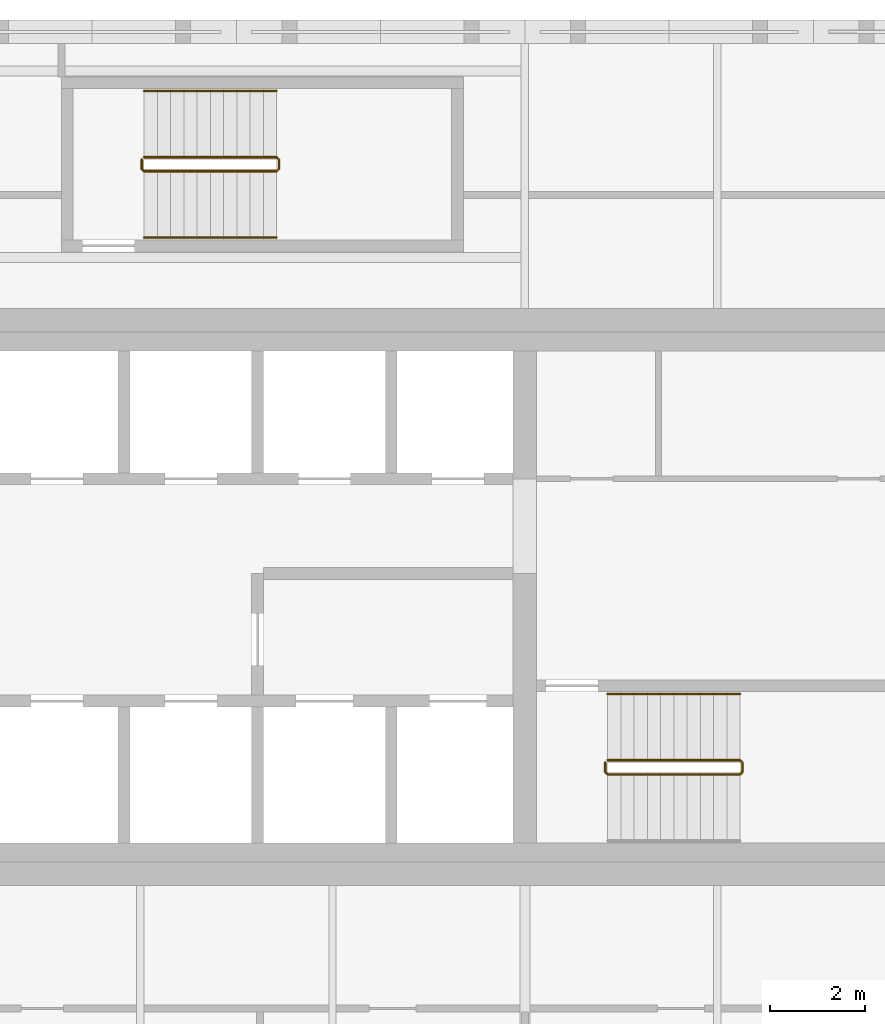
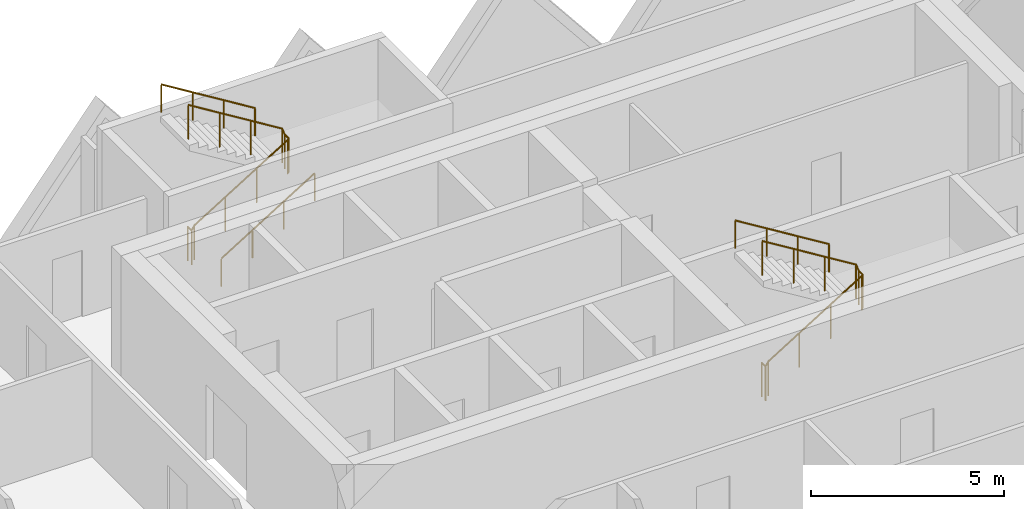
# One storey, part 18 of 18: 5 railings.
"""IFC4 building model written with IfcOpenShell, lengths in metres."""

from ifc_helpers import new_model, si_unit, direction, frame, origin, origin_2d, place, context, subcontext, project, spatial, circle, extrude, material, type_object, element, save


model = new_model("IFC4")

# Units and contexts
model_context = context("Model", 3, precision=1e-05, world=origin(), true_north=direction((0.0, 1.0)))
body_context = subcontext(model_context, "Body", "Model", "MODEL_VIEW")
ifc_project = project(units=[si_unit("LENGTHUNIT", "METRE"), si_unit("AREAUNIT", "SQUARE_METRE"), si_unit("VOLUMEUNIT", "CUBIC_METRE"), si_unit("PLANEANGLEUNIT", "RADIAN"), si_unit("MASSUNIT", "GRAM", prefix="KILO")], contexts=[model_context])

# Site, building, storey
site_placement = place(None, origin())
site = spatial("IfcSite", under=ifc_project, at=site_placement, CompositionType="ELEMENT")
building_placement = place(site_placement, origin())
building = spatial("IfcBuilding", under=site, at=building_placement, Name="Tessera Gate Towers", CompositionType="ELEMENT")
storey_placement = place(building_placement, frame((0.0, 0.0, 99.0)))
storey = spatial("IfcBuildingStorey", under=building, at=storey_placement, Name="L24", CompositionType="ELEMENT", Elevation=99.0)

# Railings
ifc_material_1 = material(Name="Steel 350W", Category="steel")
railing_type_1 = type_object("IfcRailingType", Name="STAIR GUARD 1100", PredefinedType="GUARDRAIL", material=ifc_material_1)
railing_1_placement = place(storey_placement, frame((111.5, 39.199951171875, 0.0)))
element("IfcRailing", 1, at=railing_1_placement, inside=storey, type_object=railing_type_1, Name="L24 ST6 stair guard 1", PredefinedType="GUARDRAIL", context=body_context, shape_type="SweptSolid", body=[
    extrude(circle(Radius=0.02392578125, at=origin_2d()), frame((0.0, 0.0, 1.076171875), z_axis=(0.0, -1.0, 0.0), x_axis=(1.0, 0.0, 0.0)), (0.0, 0.0, 1.0), 0.199951171875),
    extrude(circle(Radius=0.02392578125, at=origin_2d()), frame((0.0, -0.199951171875, 1.076171875), z_axis=(0.268277960024, -0.268277960024, 0.925231793839), x_axis=(0.707106781187, 0.707106781187, 0.0)), (0.0, 0.0, 1.0), 0.1865234375),
    extrude(circle(Radius=0.02392578125, at=origin_2d()), frame((0.050048828125, -0.25, 1.24853515625), z_axis=(0.851089632645, 0.0, 0.525020415988), x_axis=(0.0, 1.0, 0.0)), (0.0, 0.0, 1.0), 3.2900390625),
    extrude(circle(Radius=0.02392578125, at=origin_2d()), frame((2.85009765625, -0.25, 2.97607421875), z_axis=(0.705375805398, 0.708833529934, 0.0), x_axis=(-0.708833529934, 0.705375805398, 0.0)), (0.0, 0.0, 1.0), 0.070556640625),
    extrude(circle(Radius=0.02392578125, at=origin_2d()), frame((2.89990234375, -0.199951171875, 2.97607421875), z_axis=(0.0, 1.0, 0.0), x_axis=(-1.0, 0.0, 0.0)), (0.0, 0.0, 1.0), 0.199951171875),
    extrude(circle(Radius=0.02392578125, at=origin_2d()), frame((2.89990234375, 0.0, 2.97607421875), z_axis=(-0.266739603011, 0.268047150085, 0.925743328097), x_axis=(-0.708833529934, -0.705375805398, 0.0)), (0.0, 0.0, 1.0), 0.186767578125),
    extrude(circle(Radius=0.02392578125, at=origin_2d()), frame((2.85009765625, 0.050048828125, 3.14892578125), z_axis=(-0.851089632645, 0.0, 0.525020415988), x_axis=(0.0, -1.0, 0.0)), (0.0, 0.0, 1.0), 3.2900390625),
    extrude(circle(Radius=0.02099609375, at=origin_2d()), origin(), (0.0, 0.0, 1.0), 1.052001953125),
    extrude(circle(Radius=0.02099609375, at=origin_2d()), frame((0.0, -0.199951171875, 0.0)), (0.0, 0.0, 1.0), 1.052001953125),
    extrude(circle(Radius=0.02099609375, at=origin_2d()), frame((0.050048828125, -0.25, 0.172607421875)), (0.0, 0.0, 1.0), 1.052001953125),
    extrude(circle(Radius=0.02099609375, at=origin_2d()), frame((0.9833984375, -0.25, 0.748291015625)), (0.0, 0.0, 1.0), 1.052001953125),
    extrude(circle(Radius=0.02099609375, at=origin_2d()), frame((1.916748046875, -0.25, 1.32421875)), (0.0, 0.0, 1.0), 1.052001953125),
    extrude(circle(Radius=0.02099609375, at=origin_2d()), frame((2.85009765625, -0.25, 1.89990234375)), (0.0, 0.0, 1.0), 1.052001953125),
    extrude(circle(Radius=0.02099609375, at=origin_2d()), frame((2.89990234375, -0.199951171875, 1.89990234375)), (0.0, 0.0, 1.0), 1.052001953125),
    extrude(circle(Radius=0.02099609375, at=origin_2d()), frame((2.89990234375, 0.0, 1.89990234375)), (0.0, 0.0, 1.0), 1.052001953125),
    extrude(circle(Radius=0.02099609375, at=origin_2d()), frame((2.85009765625, 0.050048828125, 2.07275390625)), (0.0, 0.0, 1.0), 1.052001953125),
    extrude(circle(Radius=0.02099609375, at=origin_2d()), frame((1.916748046875, 0.050048828125, 2.6484375)), (0.0, 0.0, 1.0), 1.052001953125),
    extrude(circle(Radius=0.02099609375, at=origin_2d()), frame((0.9833984375, 0.050048828125, 3.224365234375)), (0.0, 0.0, 1.0), 1.052001953125),
    extrude(circle(Radius=0.02099609375, at=origin_2d()), frame((0.050048828125, 0.050048828125, 3.800048828125)), (0.0, 0.0, 1.0), 1.052001953125),
])
railing_2_placement = place(storey_placement, frame((101.699951171875, 51.949951171875, 0.0)))
element("IfcRailing", 2, at=railing_2_placement, inside=storey, type_object=railing_type_1, Name="L24 ST7 stair guard 1", PredefinedType="GUARDRAIL", context=body_context, shape_type="SweptSolid", body=[
    extrude(circle(Radius=0.02392578125, at=origin_2d()), frame((0.0, 0.0, 1.076171875), z_axis=(0.0, -1.0, 0.0), x_axis=(1.0, 0.0, 0.0)), (0.0, 0.0, 1.0), 0.199951171875),
    extrude(circle(Radius=0.02392578125, at=origin_2d()), frame((0.0, -0.199951171875, 1.076171875), z_axis=(0.268277960024, -0.268277960024, 0.925231793839), x_axis=(0.707106781187, 0.707106781187, 0.0)), (0.0, 0.0, 1.0), 0.1865234375),
    extrude(circle(Radius=0.02392578125, at=origin_2d()), frame((0.050048828125, -0.25, 1.24853515625), z_axis=(0.851089632645, 0.0, 0.525020415988), x_axis=(0.0, 1.0, 0.0)), (0.0, 0.0, 1.0), 3.2900390625),
    extrude(circle(Radius=0.02392578125, at=origin_2d()), frame((2.85009765625, -0.25, 2.97607421875), z_axis=(0.707106781187, 0.707106781187, 0.0), x_axis=(-0.707106781187, 0.707106781187, 0.0)), (0.0, 0.0, 1.0), 0.07080078125),
    extrude(circle(Radius=0.02392578125, at=origin_2d()), frame((2.900146484375, -0.199951171875, 2.97607421875), z_axis=(0.0, 1.0, 0.0), x_axis=(-1.0, 0.0, 0.0)), (0.0, 0.0, 1.0), 0.199951171875),
    extrude(circle(Radius=0.02392578125, at=origin_2d()), frame((2.900146484375, 0.0, 2.97607421875), z_axis=(-0.267953482034, 0.267953482034, 0.925419830635), x_axis=(-0.707106781187, -0.707106781187, 0.0)), (0.0, 0.0, 1.0), 0.186767578125),
    extrude(circle(Radius=0.02392578125, at=origin_2d()), frame((2.85009765625, 0.050048828125, 3.14892578125), z_axis=(-0.851089632645, 0.0, 0.525020415988), x_axis=(0.0, -1.0, 0.0)), (0.0, 0.0, 1.0), 3.2900390625),
    extrude(circle(Radius=0.02099609375, at=origin_2d()), origin(), (0.0, 0.0, 1.0), 1.052001953125),
    extrude(circle(Radius=0.02099609375, at=origin_2d()), frame((0.0, -0.199951171875, 0.0)), (0.0, 0.0, 1.0), 1.052001953125),
    extrude(circle(Radius=0.02099609375, at=origin_2d()), frame((0.050048828125, -0.25, 0.172607421875)), (0.0, 0.0, 1.0), 1.052001953125),
    extrude(circle(Radius=0.02099609375, at=origin_2d()), frame((0.9833984375, -0.25, 0.748291015625)), (0.0, 0.0, 1.0), 1.052001953125),
    extrude(circle(Radius=0.02099609375, at=origin_2d()), frame((1.916748046875, -0.25, 1.32421875)), (0.0, 0.0, 1.0), 1.052001953125),
    extrude(circle(Radius=0.02099609375, at=origin_2d()), frame((2.85009765625, -0.25, 1.89990234375)), (0.0, 0.0, 1.0), 1.052001953125),
    extrude(circle(Radius=0.02099609375, at=origin_2d()), frame((2.900146484375, -0.199951171875, 1.89990234375)), (0.0, 0.0, 1.0), 1.052001953125),
    extrude(circle(Radius=0.02099609375, at=origin_2d()), frame((2.900146484375, 0.0, 1.89990234375)), (0.0, 0.0, 1.0), 1.052001953125),
    extrude(circle(Radius=0.02099609375, at=origin_2d()), frame((2.85009765625, 0.050048828125, 2.07275390625)), (0.0, 0.0, 1.0), 1.052001953125),
    extrude(circle(Radius=0.02099609375, at=origin_2d()), frame((1.916748046875, 0.050048828125, 2.6484375)), (0.0, 0.0, 1.0), 1.052001953125),
    extrude(circle(Radius=0.02099609375, at=origin_2d()), frame((0.9833984375, 0.050048828125, 3.224365234375)), (0.0, 0.0, 1.0), 1.052001953125),
    extrude(circle(Radius=0.02099609375, at=origin_2d()), frame((0.050048828125, 0.050048828125, 3.800048828125)), (0.0, 0.0, 1.0), 1.052001953125),
])
ifc_material_2 = material(Name="Steel 350W", Category="steel")
railing_type_2 = type_object("IfcRailingType", Name="STAIR HANDRAIL 900", PredefinedType="HANDRAIL", material=ifc_material_2)
railing_3_placement = place(storey_placement, frame((114.35009765625, 40.64990234375, 2.07275390625)))
element("IfcRailing", 3, at=railing_3_placement, inside=storey, type_object=railing_type_2, Name="L24 ST6 stair handrail 2", PredefinedType="HANDRAIL", context=body_context, shape_type="SweptSolid", body=[
    extrude(circle(Radius=0.02392578125, at=origin_2d()), frame((0.0, 0.0, 0.8759765625), z_axis=(-0.851089632645, 0.0, 0.525020415988), x_axis=(0.0, -1.0, 0.0)), (0.0, 0.0, 1.0), 3.2900390625),
    extrude(circle(Radius=0.02099609375, at=origin_2d()), origin(), (0.0, 0.0, 1.0), 0.851806640625),
    extrude(circle(Radius=0.02099609375, at=origin_2d()), frame((-0.933349609375, 0.0, 0.57568359375)), (0.0, 0.0, 1.0), 0.851806640625),
    extrude(circle(Radius=0.02099609375, at=origin_2d()), frame((-1.86669921875, 0.0, 1.151611328125)), (0.0, 0.0, 1.0), 0.851806640625),
    extrude(circle(Radius=0.02099609375, at=origin_2d()), frame((-2.800048828125, 0.0, 1.727294921875)), (0.0, 0.0, 1.0), 0.851806640625),
])
railing_4_placement = place(storey_placement, frame((101.75, 50.300048828125, 0.172607421875)))
element("IfcRailing", 4, at=railing_4_placement, inside=storey, type_object=railing_type_2, Name="L24 ST7 stair handrail 1", PredefinedType="HANDRAIL", context=body_context, shape_type="SweptSolid", body=[
    extrude(circle(Radius=0.02392578125, at=origin_2d()), frame((0.0, 0.0, 0.8759765625), z_axis=(0.851089632645, 0.0, 0.525020415988), x_axis=(0.0, 1.0, 0.0)), (0.0, 0.0, 1.0), 3.2900390625),
    extrude(circle(Radius=0.02099609375, at=origin_2d()), origin(), (0.0, 0.0, 1.0), 0.851806640625),
    extrude(circle(Radius=0.02099609375, at=origin_2d()), frame((0.933349609375, 0.0, 0.57568359375)), (0.0, 0.0, 1.0), 0.851806640625),
    extrude(circle(Radius=0.02099609375, at=origin_2d()), frame((1.86669921875, 0.0, 1.151611328125)), (0.0, 0.0, 1.0), 0.851806640625),
    extrude(circle(Radius=0.02099609375, at=origin_2d()), frame((2.800048828125, 0.0, 1.727294921875)), (0.0, 0.0, 1.0), 0.851806640625),
])
railing_5_placement = place(storey_placement, frame((104.550048828125, 53.39990234375, 2.07275390625)))
element("IfcRailing", 5, at=railing_5_placement, inside=storey, type_object=railing_type_2, Name="L24 ST7 stair handrail 2", PredefinedType="HANDRAIL", context=body_context, shape_type="SweptSolid", body=[
    extrude(circle(Radius=0.02392578125, at=origin_2d()), frame((0.0, 0.0, 0.8759765625), z_axis=(-0.851089632645, 0.0, 0.525020415988), x_axis=(0.0, -1.0, 0.0)), (0.0, 0.0, 1.0), 3.2900390625),
    extrude(circle(Radius=0.02099609375, at=origin_2d()), origin(), (0.0, 0.0, 1.0), 0.851806640625),
    extrude(circle(Radius=0.02099609375, at=origin_2d()), frame((-0.933349609375, 0.0, 0.57568359375)), (0.0, 0.0, 1.0), 0.851806640625),
    extrude(circle(Radius=0.02099609375, at=origin_2d()), frame((-1.86669921875, 0.0, 1.151611328125)), (0.0, 0.0, 1.0), 0.851806640625),
    extrude(circle(Radius=0.02099609375, at=origin_2d()), frame((-2.800048828125, 0.0, 1.727294921875)), (0.0, 0.0, 1.0), 0.851806640625),
])

save(model, "model.ifc")
